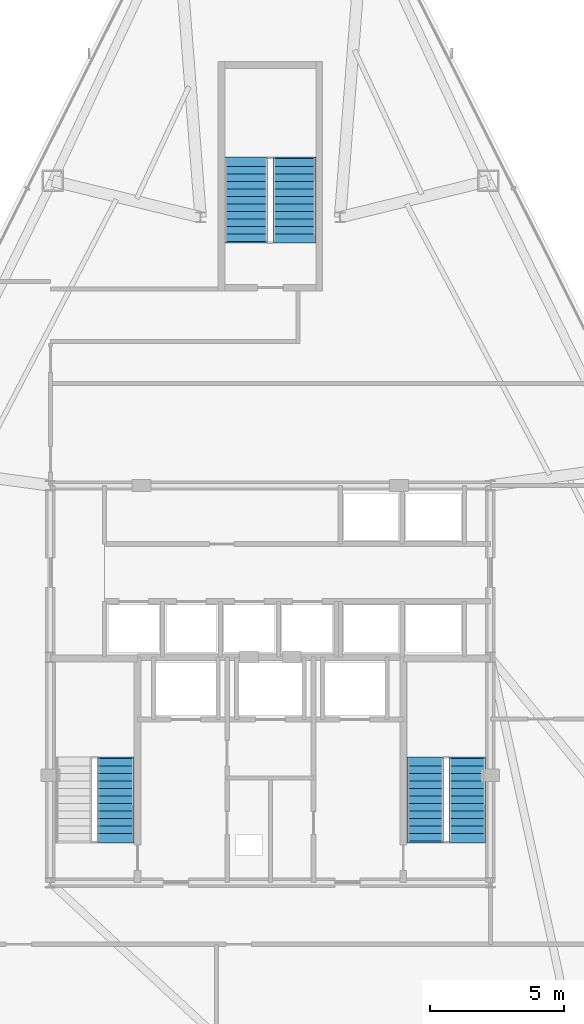
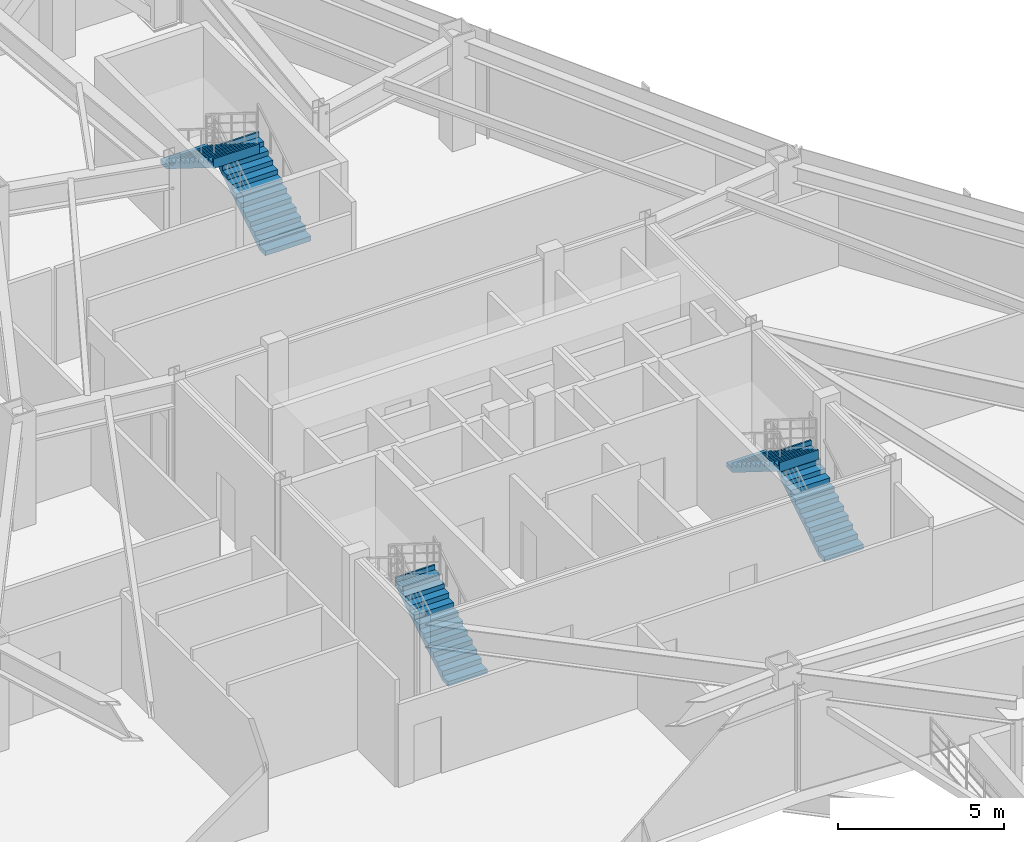
# One storey, part 11 of 13: 5 stair flights, 3 elements without a shape of their own.
"""IFC4 building model written with IfcOpenShell, lengths in metres."""

from ifc_helpers import new_model, si_unit, direction, frame, origin, place, context, subcontext, project, spatial, polyline, outline, extrude, material, type_object, element, aggregate, save


model = new_model("IFC4")

# Units and contexts
model_context = context("Model", 3, precision=1e-05, world=origin(), true_north=direction((0.0, 1.0)))
body_context = subcontext(model_context, "Body", "Model", "MODEL_VIEW")
ifc_project = project(units=[si_unit("LENGTHUNIT", "METRE"), si_unit("AREAUNIT", "SQUARE_METRE"), si_unit("VOLUMEUNIT", "CUBIC_METRE"), si_unit("PLANEANGLEUNIT", "RADIAN"), si_unit("MASSUNIT", "GRAM", prefix="KILO")], contexts=[model_context])

# Site, building, storey
site_placement = place(None, origin())
site = spatial("IfcSite", under=ifc_project, at=site_placement, CompositionType="ELEMENT")
building_placement = place(site_placement, origin())
building = spatial("IfcBuilding", under=site, at=building_placement, Name="Varakhsha Concourse Tower", CompositionType="ELEMENT")
storey_placement = place(building_placement, frame((0.0, 0.0, 196.5)))
storey = spatial("IfcBuildingStorey", under=building, at=storey_placement, Name="L56", CompositionType="ELEMENT", Elevation=196.5)

# Stair, stair flight
ifc_material = material(Name="Concrete fc 45 MPa", Category="concrete")
stair_type_1 = type_object("IfcStairType", Name="ST-DOGLEG-1360", PredefinedType="HALF_TURN_STAIR", material=ifc_material)
stair_1_placement = place(storey_placement, origin())
stair_1 = element("IfcStair", 1, at=stair_1_placement, inside=storey, type_object=stair_type_1, Name="L56 Protected Exit Stair ST1", PredefinedType="HALF_TURN_STAIR")
stair_flight_type_1 = type_object("IfcStairFlightType", Name="STF-1360-R1750", PredefinedType="STRAIGHT", material=ifc_material)
stair_flight_1_placement = place(storey_placement, frame((34.239990234375, 17.93994140625, 0.0), z_axis=(0.0, 0.0, 1.0), x_axis=(0.0, 1.0, 0.0)))
stair_flight_1 = element("IfcStairFlight", 2, at=stair_flight_1_placement, type_object=stair_flight_type_1, Name="ST1 flight 1", NumberOfRisers=12, NumberOfTreads=11, PredefinedType="STRAIGHT", RiserHeight=0.175, TreadLength=0.28, context=body_context, shape_type="SweptSolid", body=[
    extrude(outline(polyline([(-0.06005859375, 0.0), (-0.06005859375, 0.175048828125), (0.0, 0.175048828125), (0.280029296875, 0.175048828125), (0.280029296875, 0.35009765625), (0.56005859375, 0.35009765625), (0.56005859375, 0.52490234375), (0.840087890625, 0.52490234375), (0.840087890625, 0.699951171875), (1.1201171875, 0.699951171875), (1.1201171875, 0.875), (1.39990234375, 0.875), (1.39990234375, 1.050048828125), (1.679931640625, 1.050048828125), (1.679931640625, 1.22509765625), (1.9599609375, 1.22509765625), (1.9599609375, 1.39990234375), (2.239990234375, 1.39990234375), (2.239990234375, 1.574951171875), (2.52001953125, 1.574951171875), (2.52001953125, 1.75), (2.800048828125, 1.75), (2.800048828125, 1.925048828125), (3.080078125, 1.925048828125), (3.080078125, 2.10009765625), (3.139892578125, 2.10009765625), (3.139892578125, 1.748291015625), (3.080078125, 1.748291015625), (0.28271484375, 0.0), (-0.06005859375, 0.0)])), frame((0.0, 0.68017578125, 0.0), z_axis=(0.0, -1.0, 0.0), x_axis=(1.0, 0.0, 0.0)), (0.0, 0.0, 1.0), 1.360107421875),
])
aggregate(stair_1, [stair_flight_1])

# Stair, stair flights
stair_2_placement = place(storey_placement, origin())
stair_2 = element("IfcStair", 3, at=stair_2_placement, inside=storey, type_object=stair_type_1, Name="L56 Protected Exit Stair ST2", PredefinedType="HALF_TURN_STAIR")
stair_flight_2_placement = place(storey_placement, frame((47.340087890625, 17.93994140625, 0.0), z_axis=(0.0, 0.0, 1.0), x_axis=(0.0, 1.0, 0.0)))
stair_flight_2 = element("IfcStairFlight", 4, at=stair_flight_2_placement, type_object=stair_flight_type_1, Name="ST2 flight 1", NumberOfRisers=12, NumberOfTreads=11, PredefinedType="STRAIGHT", RiserHeight=0.175, TreadLength=0.28, context=body_context, shape_type="SweptSolid", body=[
    extrude(outline(polyline([(-0.06005859375, 0.0), (-0.06005859375, 0.175048828125), (0.0, 0.175048828125), (0.280029296875, 0.175048828125), (0.280029296875, 0.35009765625), (0.56005859375, 0.35009765625), (0.56005859375, 0.52490234375), (0.840087890625, 0.52490234375), (0.840087890625, 0.699951171875), (1.1201171875, 0.699951171875), (1.1201171875, 0.875), (1.39990234375, 0.875), (1.39990234375, 1.050048828125), (1.679931640625, 1.050048828125), (1.679931640625, 1.22509765625), (1.9599609375, 1.22509765625), (1.9599609375, 1.39990234375), (2.239990234375, 1.39990234375), (2.239990234375, 1.574951171875), (2.52001953125, 1.574951171875), (2.52001953125, 1.75), (2.800048828125, 1.75), (2.800048828125, 1.925048828125), (3.080078125, 1.925048828125), (3.080078125, 2.10009765625), (3.139892578125, 2.10009765625), (3.139892578125, 1.748291015625), (3.080078125, 1.748291015625), (0.28271484375, 0.0), (-0.06005859375, 0.0)])), frame((0.0, 0.68017578125, 0.0), z_axis=(0.0, -1.0, 0.0), x_axis=(1.0, 0.0, 0.0)), (0.0, 0.0, 1.0), 1.360107421875),
])
stair_flight_3_placement = place(storey_placement, frame((45.780029296875, 21.02001953125, 2.10009765625), z_axis=(0.0, 0.0, 1.0), x_axis=(0.0, -1.0, 0.0)))
stair_flight_3 = element("IfcStairFlight", 5, at=stair_flight_3_placement, type_object=stair_flight_type_1, Name="ST2 flight 2", NumberOfRisers=12, NumberOfTreads=11, PredefinedType="STRAIGHT", RiserHeight=0.175, TreadLength=0.28, context=body_context, shape_type="SweptSolid", body=[
    extrude(outline(polyline([(-0.06005859375, 0.0), (-0.06005859375, 0.175048828125), (0.0, 0.175048828125), (0.280029296875, 0.175048828125), (0.280029296875, 0.35009765625), (0.56005859375, 0.35009765625), (0.56005859375, 0.52490234375), (0.840087890625, 0.52490234375), (0.840087890625, 0.699951171875), (1.1201171875, 0.699951171875), (1.1201171875, 0.875), (1.39990234375, 0.875), (1.39990234375, 1.050048828125), (1.679931640625, 1.050048828125), (1.679931640625, 1.22509765625), (1.9599609375, 1.22509765625), (1.9599609375, 1.39990234375), (2.239990234375, 1.39990234375), (2.239990234375, 1.574951171875), (2.52001953125, 1.574951171875), (2.52001953125, 1.75), (2.800048828125, 1.75), (2.800048828125, 1.925048828125), (3.080078125, 1.925048828125), (3.080078125, 2.10009765625), (3.139892578125, 2.10009765625), (3.139892578125, 1.748291015625), (3.080078125, 1.748291015625), (0.28271484375, 0.0), (-0.06005859375, 0.0)])), frame((0.0, 0.68017578125, 0.0), z_axis=(0.0, -1.0, 0.0), x_axis=(1.0, 0.0, 0.0)), (0.0, 0.0, 1.0), 1.360107421875),
])
aggregate(stair_2, [stair_flight_2, stair_flight_3])

stair_type_2 = type_object("IfcStairType", Name="ST-DOGLEG-1600", PredefinedType="HALF_TURN_STAIR", material=ifc_material)
stair_3_placement = place(storey_placement, origin())
stair_3 = element("IfcStair", 6, at=stair_3_placement, inside=storey, type_object=stair_type_2, Name="L56 Protected Exit Stair ST5", PredefinedType="HALF_TURN_STAIR")
stair_flight_type_2 = type_object("IfcStairFlightType", Name="STF-1600-R1750", PredefinedType="STRAIGHT", material=ifc_material)
stair_flight_4_placement = place(storey_placement, frame((40.89990234375, 40.300048828125, 0.0), z_axis=(0.0, 0.0, 1.0), x_axis=(0.0, 1.0, 0.0)))
stair_flight_4 = element("IfcStairFlight", 7, at=stair_flight_4_placement, type_object=stair_flight_type_2, Name="ST5 flight 1", NumberOfRisers=12, NumberOfTreads=11, PredefinedType="STRAIGHT", RiserHeight=0.175, TreadLength=0.28, context=body_context, shape_type="SweptSolid", body=[
    extrude(outline(polyline([(-0.06005859375, 0.0), (-0.06005859375, 0.175048828125), (0.0, 0.175048828125), (0.280029296875, 0.175048828125), (0.280029296875, 0.35009765625), (0.56005859375, 0.35009765625), (0.56005859375, 0.52490234375), (0.840087890625, 0.52490234375), (0.840087890625, 0.699951171875), (1.1201171875, 0.699951171875), (1.1201171875, 0.875), (1.39990234375, 0.875), (1.39990234375, 1.050048828125), (1.679931640625, 1.050048828125), (1.679931640625, 1.22509765625), (1.9599609375, 1.22509765625), (1.9599609375, 1.39990234375), (2.239990234375, 1.39990234375), (2.239990234375, 1.574951171875), (2.52001953125, 1.574951171875), (2.52001953125, 1.75), (2.800048828125, 1.75), (2.800048828125, 1.925048828125), (3.080078125, 1.925048828125), (3.080078125, 2.10009765625), (3.139892578125, 2.10009765625), (3.139892578125, 1.748291015625), (3.080078125, 1.748291015625), (0.28271484375, 0.0), (-0.06005859375, 0.0)])), frame((0.0, 0.800048828125, 0.0), z_axis=(0.0, -1.0, 0.0), x_axis=(1.0, 0.0, 0.0)), (0.0, 0.0, 1.0), 1.60009765625),
])
stair_flight_5_placement = place(storey_placement, frame((39.10009765625, 43.3798828125, 2.10009765625), z_axis=(0.0, 0.0, 1.0), x_axis=(0.0, -1.0, 0.0)))
stair_flight_5 = element("IfcStairFlight", 8, at=stair_flight_5_placement, type_object=stair_flight_type_2, Name="ST5 flight 2", NumberOfRisers=12, NumberOfTreads=11, PredefinedType="STRAIGHT", RiserHeight=0.175, TreadLength=0.28, context=body_context, shape_type="SweptSolid", body=[
    extrude(outline(polyline([(-0.06005859375, 0.0), (-0.06005859375, 0.175048828125), (0.0, 0.175048828125), (0.280029296875, 0.175048828125), (0.280029296875, 0.35009765625), (0.56005859375, 0.35009765625), (0.56005859375, 0.52490234375), (0.840087890625, 0.52490234375), (0.840087890625, 0.699951171875), (1.1201171875, 0.699951171875), (1.1201171875, 0.875), (1.39990234375, 0.875), (1.39990234375, 1.050048828125), (1.679931640625, 1.050048828125), (1.679931640625, 1.22509765625), (1.9599609375, 1.22509765625), (1.9599609375, 1.39990234375), (2.239990234375, 1.39990234375), (2.239990234375, 1.574951171875), (2.52001953125, 1.574951171875), (2.52001953125, 1.75), (2.800048828125, 1.75), (2.800048828125, 1.925048828125), (3.080078125, 1.925048828125), (3.080078125, 2.10009765625), (3.139892578125, 2.10009765625), (3.139892578125, 1.748291015625), (3.080078125, 1.748291015625), (0.28271484375, 0.0), (-0.06005859375, 0.0)])), frame((0.0, 0.800048828125, 0.0), z_axis=(0.0, -1.0, 0.0), x_axis=(1.0, 0.0, 0.0)), (0.0, 0.0, 1.0), 1.60009765625),
])
aggregate(stair_3, [stair_flight_4, stair_flight_5])

save(model, "model.ifc")
